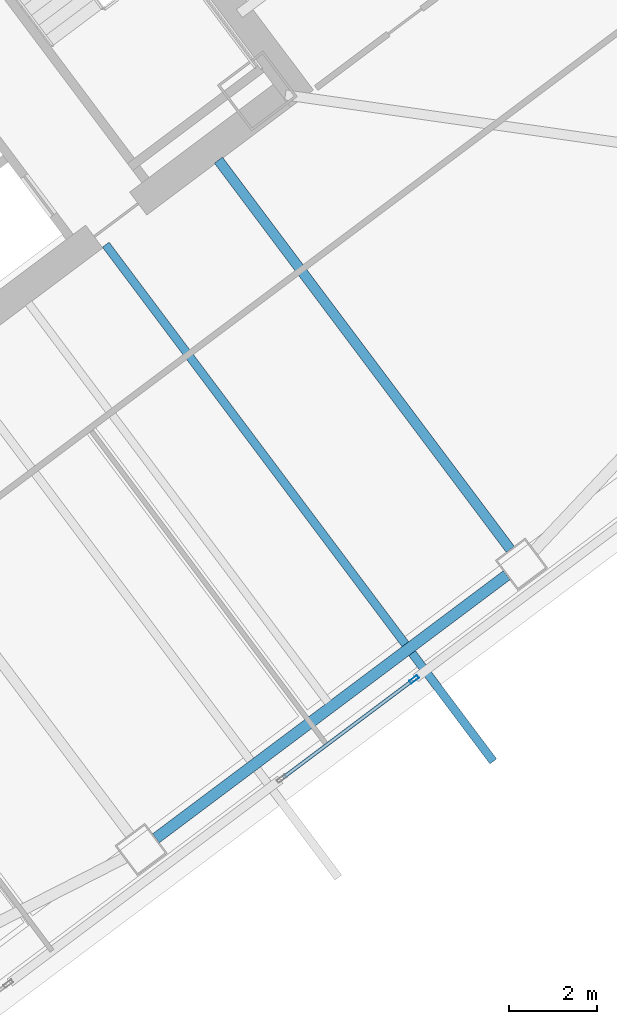
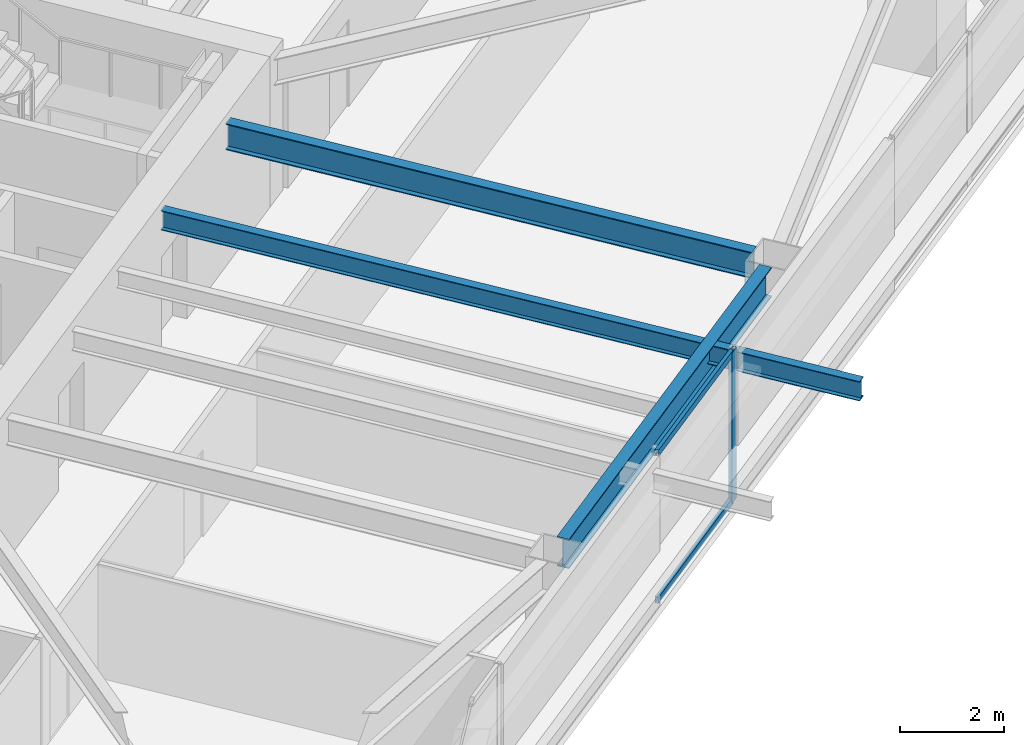
# One storey, part 23 of 44: 3 beams, 3 members, 1 element without a shape of its own.
"""IFC4 building model written with IfcOpenShell, lengths in metres."""

from ifc_helpers import new_model, si_unit, direction, frame, origin, origin_2d, place, context, subcontext, project, spatial, hollow_rectangle, i_section, extrude, material, material_profile, profile_set, type_object, element, aggregate, save


model = new_model("IFC4")

# Units and contexts
model_context = context("Model", 3, precision=1e-05, world=origin(), true_north=direction((0.0, 1.0)))
body_context = subcontext(model_context, "Body", "Model", "MODEL_VIEW")
ifc_project = project(units=[si_unit("LENGTHUNIT", "METRE"), si_unit("AREAUNIT", "SQUARE_METRE"), si_unit("VOLUMEUNIT", "CUBIC_METRE"), si_unit("PLANEANGLEUNIT", "RADIAN"), si_unit("MASSUNIT", "GRAM", prefix="KILO")], contexts=[model_context])

# Site, building, storey
site_placement = place(None, origin())
site = spatial("IfcSite", under=ifc_project, at=site_placement, CompositionType="ELEMENT")
building_placement = place(site_placement, origin())
building = spatial("IfcBuilding", under=site, at=building_placement, Name="Tashvorn Skyway Center", CompositionType="ELEMENT")
storey_placement = place(building_placement, frame((0.0, 0.0, 95.60009765625)))
storey = spatial("IfcBuildingStorey", under=building, at=storey_placement, Name="L25", CompositionType="ELEMENT", Elevation=95.60009765625)

# Beams
ifc_material_1 = material(Name="Steel ASTM A992 Grade 50", Category="steel")
ifc_material_profile_1 = material_profile(ifc_material_1, i_section(OverallWidth=0.22998046875, OverallDepth=0.616943359375, WebThickness=0.01318359375, FlangeThickness=0.022216796875, at=origin_2d()), Name="W24X94")
ifc_profile_set_1 = profile_set([ifc_material_profile_1], Name="Steel ASTM A992 Grade 50")
beam_type_1 = type_object("IfcBeamType", Name="BM-BEAM-W24X94", PredefinedType="BEAM", material=ifc_profile_set_1)
beam_1_placement = place(storey_placement, frame((129.617919921875, 20.176025390625, 3.04150390625), z_axis=(-0.599989394744, 0.800007953832, 0.0), x_axis=(-0.800007953832, -0.599989394744, 0.0)))
element("IfcBeam", 1, at=beam_1_placement, inside=storey, type_object=beam_type_1, Name="Tower 2 L25 Primary Floor Girder FC-S2", PredefinedType="BEAM", context=body_context, shape_type="SweptSolid", body=[
    extrude(i_section(OverallWidth=0.22998046875, OverallDepth=0.616943359375, WebThickness=0.01318359375, FlangeThickness=0.022216796875, at=origin_2d()), origin(), (0.0, 0.0, 1.0), 11.050048828125),
])
ifc_material_profile_2 = material_profile(ifc_material_1, i_section(OverallWidth=0.19091796875, OverallDepth=0.4599609375, WebThickness=0.010009765625, FlangeThickness=0.01611328125, at=origin_2d()), Name="W18X55")
ifc_profile_set_2 = profile_set([ifc_material_profile_2], Name="Steel ASTM A992 Grade 50")
beam_type_2 = type_object("IfcBeamType", Name="BM-JOIST-W18X55", PredefinedType="JOIST", material=ifc_profile_set_2)
beam_2_placement = place(storey_placement, frame((120.427978515625, 27.095947265625, 3.119873046875), z_axis=(0.600005325527, -0.799996005827, 0.0), x_axis=(0.799996005827, 0.600005325527, 0.0)))
element("IfcBeam", 2, at=beam_2_placement, inside=storey, type_object=beam_type_2, Name="Tower 2 L26 Terrace Cantilever Outlooker 2", PredefinedType="JOIST", context=body_context, shape_type="SweptSolid", body=[
    extrude(i_section(OverallWidth=0.19091796875, OverallDepth=0.4599609375, WebThickness=0.010009765625, FlangeThickness=0.01611328125, at=origin_2d()), origin(), (0.0, 0.0, 1.0), 14.669921875),
])
ifc_material_profile_3 = material_profile(ifc_material_1, i_section(OverallWidth=0.256103515625, OverallDepth=0.693115234375, WebThickness=0.014404296875, FlangeThickness=0.023681640625, at=origin_2d()), Name="W27X114")
ifc_profile_set_3 = profile_set([ifc_material_profile_3], Name="Steel ASTM A992 Grade 50")
beam_type_3 = type_object("IfcBeamType", Name="BM-SPANDREL-W27X114", PredefinedType="SPANDREL", material=ifc_profile_set_3)
beam_3_placement = place(storey_placement, frame((121.56591796875, 13.612060546875, 3.00341796875), z_axis=(0.800008824351, 0.599988234018, 0.0), x_axis=(-0.599988234018, 0.800008824351, 0.0)))
element("IfcBeam", 3, at=beam_3_placement, inside=storey, type_object=beam_type_3, Name="Tower 2 L25 Spandrel Beam 02", PredefinedType="SPANDREL", context=body_context, shape_type="SweptSolid", body=[
    extrude(i_section(OverallWidth=0.256103515625, OverallDepth=0.693115234375, WebThickness=0.014404296875, FlangeThickness=0.023681640625, at=origin_2d()), origin(), (0.0, 0.0, 1.0), 9.9599609375),
])

# Curtain wall, members
ifc_material_2 = material(Name="Thermally broken bronze-anodized aluminium 6063-T6", Category="aluminium")
curtain_wall_type = type_object("IfcCurtainWallType", Name="CW-CW-Z2", PredefinedType="NOTDEFINED", material=ifc_material_2)
curtain_wall_placement = place(storey_placement, origin())
curtain_wall = element("IfcCurtainWall", 4, at=curtain_wall_placement, inside=storey, type_object=curtain_wall_type, Name="Tower 2 L25 South Unitised Curtain Wall Glazing Group 2", PredefinedType="NOTDEFINED")
ifc_material_profile_4 = material_profile(ifc_material_2, hollow_rectangle(XDim=0.080078125, YDim=0.219970703125, WallThickness=0.0048828125, at=origin_2d()), Name="ALU-MULL-80x220")
ifc_profile_set_4 = profile_set([ifc_material_profile_4], Name="Thermally broken bronze-anodized aluminium 6063-T6")
member_type_1 = type_object("IfcMemberType", Name="CWM-CW-Z2", PredefinedType="MULLION", material=ifc_profile_set_4)
member_1_placement = place(storey_placement, frame((127.431884765625, 17.22412109375, 0.0), z_axis=(0.0, 0.0, 1.0), x_axis=(0.600000000002, -0.799999999998, 0.0)))
member_1 = element("IfcMember", 5, at=member_1_placement, type_object=member_type_1, Name="CW-Z2 mullion 1", PredefinedType="MULLION", context=body_context, shape_type="SweptSolid", body=[
    extrude(hollow_rectangle(XDim=0.080078125, YDim=0.219970703125, WallThickness=0.0048828125, at=origin_2d()), origin(), (0.0, 0.0, 1.0), 3.5498046875),
])
ifc_material_profile_5 = material_profile(ifc_material_2, hollow_rectangle(XDim=0.080078125, YDim=0.14990234375, WallThickness=0.00439453125, at=origin_2d()), Name="ALU-TRAN-80x150")
ifc_profile_set_5 = profile_set([ifc_material_profile_5], Name="Thermally broken bronze-anodized aluminium 6063-T6")
member_type_2 = type_object("IfcMemberType", Name="CWT-CW-Z2", PredefinedType="USERDEFINED", material=ifc_profile_set_5)
member_2_placement = place(storey_placement, frame((127.39990234375, 17.199951171875, 0.039794921875), z_axis=(-0.799984076997, -0.600021230084, 0.0), x_axis=(0.600021230084, -0.799984076997, 0.0)))
member_2 = element("IfcMember", 6, at=member_2_placement, type_object=member_type_2, Name="CW-Z2 transom 1.1", ObjectType="TRANSOM", PredefinedType="USERDEFINED", context=body_context, shape_type="SweptSolid", body=[
    extrude(hollow_rectangle(XDim=0.080078125, YDim=0.14990234375, WallThickness=0.00439453125, at=origin_2d()), origin(), (0.0, 0.0, 1.0), 3.679931640625),
])
member_3_placement = place(storey_placement, frame((127.39990234375, 17.199951171875, 3.510009765625), z_axis=(-0.799984076997, -0.600021230084, 0.0), x_axis=(0.600021230084, -0.799984076997, 0.0)))
member_3 = element("IfcMember", 7, at=member_3_placement, type_object=member_type_2, Name="CW-Z2 transom 1.2", ObjectType="TRANSOM", PredefinedType="USERDEFINED", context=body_context, shape_type="SweptSolid", body=[
    extrude(hollow_rectangle(XDim=0.080078125, YDim=0.14990234375, WallThickness=0.00439453125, at=origin_2d()), origin(), (0.0, 0.0, 1.0), 3.679931640625),
])
aggregate(curtain_wall, [member_1, member_2, member_3])

save(model, "model.ifc")
